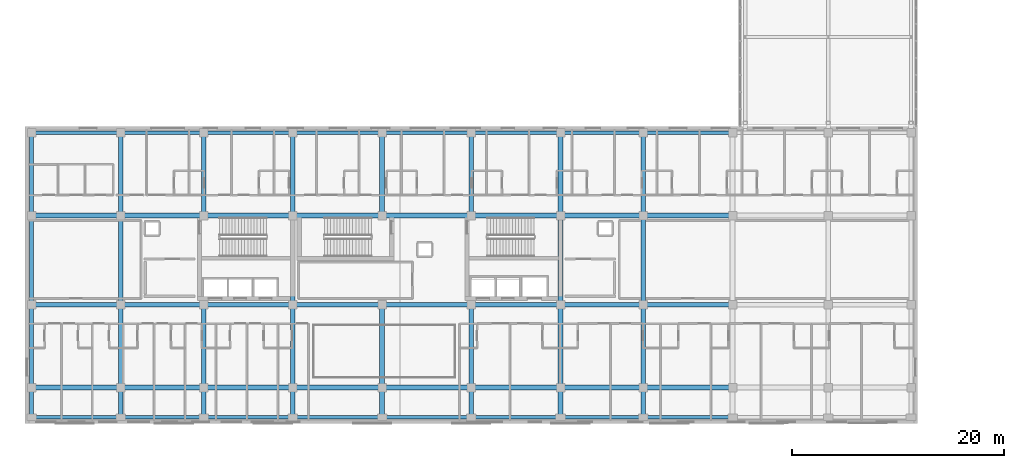
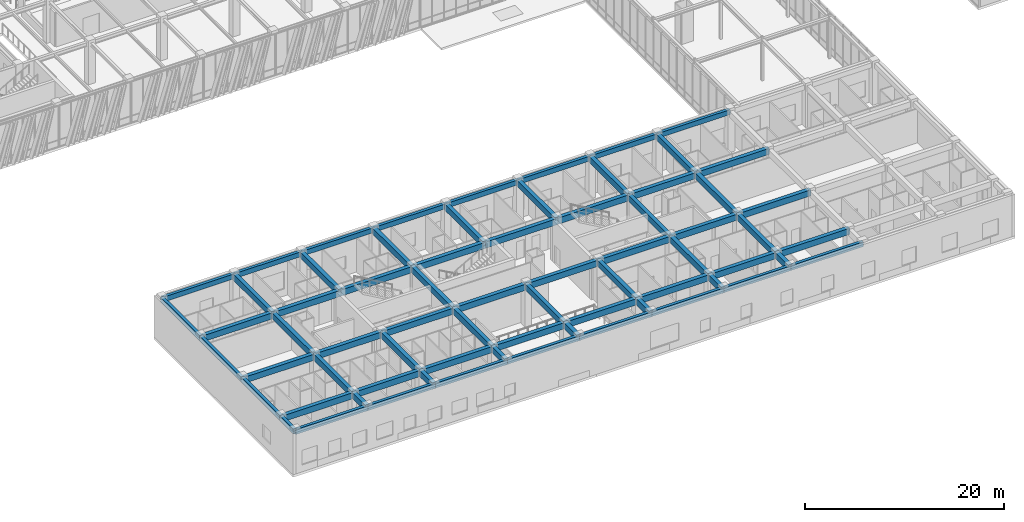
# One storey, part 12 of 139: 69 beams.
"""IFC4 building model written with IfcOpenShell, lengths in metres."""

from ifc_helpers import new_model, si_unit, direction, frame, origin, origin_2d, place, context, subcontext, project, spatial, rectangle, extrude, material, material_profile, profile_set, type_object, element, save


model = new_model("IFC4")

# Units and contexts
model_context = context("Model", 3, precision=1e-05, world=origin(), true_north=direction((0.0, 1.0)))
body_context = subcontext(model_context, "Body", "Model", "MODEL_VIEW")
ifc_project = project(units=[si_unit("LENGTHUNIT", "METRE"), si_unit("AREAUNIT", "SQUARE_METRE"), si_unit("VOLUMEUNIT", "CUBIC_METRE"), si_unit("PLANEANGLEUNIT", "RADIAN"), si_unit("MASSUNIT", "GRAM", prefix="KILO")], contexts=[model_context])

# Site, building, storey
site_placement = place(None, origin())
site = spatial("IfcSite", under=ifc_project, at=site_placement, CompositionType="ELEMENT")
building_placement = place(site_placement, origin())
building = spatial("IfcBuilding", under=site, at=building_placement, Name="Zayran Congress Hotel", CompositionType="ELEMENT")
storey_placement = place(building_placement, frame((0.0, 0.0, 5.39990234375)))
storey = spatial("IfcBuildingStorey", under=building, at=storey_placement, Name="L01", CompositionType="ELEMENT", Elevation=5.39990234375)

# Beams
ifc_material = material(Name="Concrete C40/50", Category="concrete")
ifc_material_profile_1 = material_profile(ifc_material, rectangle(XDim=0.449951171875, YDim=0.75, at=origin_2d()), Name="RC 450x750")
ifc_profile_set_1 = profile_set([ifc_material_profile_1], Name="Concrete C40/50")
beam_type_1 = type_object("IfcBeamType", Name="TP-BM-02", PredefinedType="BEAM", material=ifc_profile_set_1)
beam_1_placement = place(storey_placement, frame((9.0, 9.39990234375, 4.72509765625), z_axis=(1.0, 0.0, 0.0), x_axis=(0.0, 1.0, 0.0)))
element("IfcBeam", 1, at=beam_1_placement, inside=storey, type_object=beam_type_1, Name="BM-V5-L01-1686", PredefinedType="BEAM", context=body_context, shape_type="SweptSolid", body=[
    extrude(rectangle(XDim=0.449951171875, YDim=0.75, at=origin_2d()), origin(), (0.0, 0.0, 1.0), 8.39990234375),
])
beam_2_placement = place(storey_placement, frame((17.39990234375, 9.39990234375, 4.72509765625), z_axis=(1.0, 0.0, 0.0), x_axis=(0.0, 1.0, 0.0)))
element("IfcBeam", 2, at=beam_2_placement, inside=storey, type_object=beam_type_1, Name="BM-V5-L01-1687", PredefinedType="BEAM", context=body_context, shape_type="SweptSolid", body=[
    extrude(rectangle(XDim=0.449951171875, YDim=0.75, at=origin_2d()), origin(), (0.0, 0.0, 1.0), 7.800048828125),
])
beam_3_placement = place(storey_placement, frame((25.199951171875, 9.39990234375, 4.72509765625), z_axis=(1.0, 0.0, 0.0), x_axis=(0.0, 1.0, 0.0)))
element("IfcBeam", 3, at=beam_3_placement, inside=storey, type_object=beam_type_1, Name="BM-V5-L01-1688", PredefinedType="BEAM", context=body_context, shape_type="SweptSolid", body=[
    extrude(rectangle(XDim=0.449951171875, YDim=0.75, at=origin_2d()), origin(), (0.0, 0.0, 1.0), 8.400146484375),
])
for number, where, z_axis, x_axis, name in (
    (4, (33.60009765625, 9.39990234375, 4.72509765625), (1.0, 0.0, 0.0), (0.0, 1.0, 0.0), "BM-V5-L01-1689"),
    (5, (42.0, 9.39990234375, 4.72509765625), (1.0, 0.0, 0.0), (0.0, 1.0, 0.0), "BM-V5-L01-1690"),
):
    element("IfcBeam", number, at=place(storey_placement, frame(where, z_axis=z_axis, x_axis=x_axis)), inside=storey, type_object=beam_type_1, Name=name, PredefinedType="BEAM", context=body_context, shape_type="SweptSolid", body=[
        extrude(rectangle(XDim=0.449951171875, YDim=0.75, at=origin_2d()), origin(), (0.0, 0.0, 1.0), 8.39990234375),
    ])
beam_4_placement = place(storey_placement, frame((50.39990234375, 9.39990234375, 4.72509765625), z_axis=(1.0, 0.0, 0.0), x_axis=(0.0, 1.0, 0.0)))
element("IfcBeam", 6, at=beam_4_placement, inside=storey, type_object=beam_type_1, Name="BM-V5-L01-1691", PredefinedType="BEAM", context=body_context, shape_type="SweptSolid", body=[
    extrude(rectangle(XDim=0.449951171875, YDim=0.75, at=origin_2d()), origin(), (0.0, 0.0, 1.0), 8.400146484375),
])
beam_5_placement = place(storey_placement, frame((58.800048828125, 9.39990234375, 4.72509765625), z_axis=(1.0, 0.0, 0.0), x_axis=(0.0, 1.0, 0.0)))
element("IfcBeam", 7, at=beam_5_placement, inside=storey, type_object=beam_type_1, Name="BM-V5-L01-1692", PredefinedType="BEAM", context=body_context, shape_type="SweptSolid", body=[
    extrude(rectangle(XDim=0.449951171875, YDim=0.75, at=origin_2d()), origin(), (0.0, 0.0, 1.0), 7.800048828125),
])
for number, where, z_axis, x_axis, name in (
    (8, (66.60009765625, 9.39990234375, 4.72509765625), (1.0, 0.0, 0.0), (0.0, 1.0, 0.0), "BM-V5-L01-1693"),
    (9, (9.0, 17.199951171875, 4.72509765625), (1.0, 0.0, 0.0), (0.0, 1.0, 0.0), "BM-V5-L01-1696"),
):
    element("IfcBeam", number, at=place(storey_placement, frame(where, z_axis=z_axis, x_axis=x_axis)), inside=storey, type_object=beam_type_1, Name=name, PredefinedType="BEAM", context=body_context, shape_type="SweptSolid", body=[
        extrude(rectangle(XDim=0.449951171875, YDim=0.75, at=origin_2d()), origin(), (0.0, 0.0, 1.0), 8.39990234375),
    ])
beam_6_placement = place(storey_placement, frame((17.39990234375, 17.199951171875, 4.72509765625), z_axis=(1.0, 0.0, 0.0), x_axis=(0.0, 1.0, 0.0)))
element("IfcBeam", 10, at=beam_6_placement, inside=storey, type_object=beam_type_1, Name="BM-V5-L01-1697", PredefinedType="BEAM", context=body_context, shape_type="SweptSolid", body=[
    extrude(rectangle(XDim=0.449951171875, YDim=0.75, at=origin_2d()), origin(), (0.0, 0.0, 1.0), 7.800048828125),
])
beam_7_placement = place(storey_placement, frame((25.199951171875, 17.199951171875, 4.72509765625), z_axis=(1.0, 0.0, 0.0), x_axis=(0.0, 1.0, 0.0)))
element("IfcBeam", 11, at=beam_7_placement, inside=storey, type_object=beam_type_1, Name="BM-V5-L01-1698", PredefinedType="BEAM", context=body_context, shape_type="SweptSolid", body=[
    extrude(rectangle(XDim=0.449951171875, YDim=0.75, at=origin_2d()), origin(), (0.0, 0.0, 1.0), 8.400146484375),
])
for number, where, z_axis, x_axis, name in (
    (12, (33.60009765625, 17.199951171875, 4.72509765625), (1.0, 0.0, 0.0), (0.0, 1.0, 0.0), "BM-V5-L01-1699"),
    (13, (42.0, 17.199951171875, 4.72509765625), (1.0, 0.0, 0.0), (0.0, 1.0, 0.0), "BM-V5-L01-1700"),
):
    element("IfcBeam", number, at=place(storey_placement, frame(where, z_axis=z_axis, x_axis=x_axis)), inside=storey, type_object=beam_type_1, Name=name, PredefinedType="BEAM", context=body_context, shape_type="SweptSolid", body=[
        extrude(rectangle(XDim=0.449951171875, YDim=0.75, at=origin_2d()), origin(), (0.0, 0.0, 1.0), 8.39990234375),
    ])
beam_8_placement = place(storey_placement, frame((50.39990234375, 17.199951171875, 4.72509765625), z_axis=(1.0, 0.0, 0.0), x_axis=(0.0, 1.0, 0.0)))
element("IfcBeam", 14, at=beam_8_placement, inside=storey, type_object=beam_type_1, Name="BM-V5-L01-1701", PredefinedType="BEAM", context=body_context, shape_type="SweptSolid", body=[
    extrude(rectangle(XDim=0.449951171875, YDim=0.75, at=origin_2d()), origin(), (0.0, 0.0, 1.0), 8.400146484375),
])
beam_9_placement = place(storey_placement, frame((58.800048828125, 17.199951171875, 4.72509765625), z_axis=(1.0, 0.0, 0.0), x_axis=(0.0, 1.0, 0.0)))
element("IfcBeam", 15, at=beam_9_placement, inside=storey, type_object=beam_type_1, Name="BM-V5-L01-1702", PredefinedType="BEAM", context=body_context, shape_type="SweptSolid", body=[
    extrude(rectangle(XDim=0.449951171875, YDim=0.75, at=origin_2d()), origin(), (0.0, 0.0, 1.0), 7.800048828125),
])
for number, where, z_axis, x_axis, name in (
    (16, (66.60009765625, 17.199951171875, 4.72509765625), (1.0, 0.0, 0.0), (0.0, 1.0, 0.0), "BM-V5-L01-1703"),
    (17, (9.0, 25.60009765625, 4.72509765625), (1.0, 0.0, 0.0), (0.0, 1.0, 0.0), "BM-V5-L01-1706"),
):
    element("IfcBeam", number, at=place(storey_placement, frame(where, z_axis=z_axis, x_axis=x_axis)), inside=storey, type_object=beam_type_1, Name=name, PredefinedType="BEAM", context=body_context, shape_type="SweptSolid", body=[
        extrude(rectangle(XDim=0.449951171875, YDim=0.75, at=origin_2d()), origin(), (0.0, 0.0, 1.0), 8.39990234375),
    ])
beam_10_placement = place(storey_placement, frame((17.39990234375, 25.60009765625, 4.72509765625), z_axis=(1.0, 0.0, 0.0), x_axis=(0.0, 1.0, 0.0)))
element("IfcBeam", 18, at=beam_10_placement, inside=storey, type_object=beam_type_1, Name="BM-V5-L01-1707", PredefinedType="BEAM", context=body_context, shape_type="SweptSolid", body=[
    extrude(rectangle(XDim=0.449951171875, YDim=0.75, at=origin_2d()), origin(), (0.0, 0.0, 1.0), 7.800048828125),
])
beam_11_placement = place(storey_placement, frame((25.199951171875, 25.60009765625, 4.72509765625), z_axis=(1.0, 0.0, 0.0), x_axis=(0.0, 1.0, 0.0)))
element("IfcBeam", 19, at=beam_11_placement, inside=storey, type_object=beam_type_1, Name="BM-V5-L01-1708", PredefinedType="BEAM", context=body_context, shape_type="SweptSolid", body=[
    extrude(rectangle(XDim=0.449951171875, YDim=0.75, at=origin_2d()), origin(), (0.0, 0.0, 1.0), 8.400146484375),
])
for number, where, z_axis, x_axis, name in (
    (20, (33.60009765625, 25.60009765625, 4.72509765625), (1.0, 0.0, 0.0), (0.0, 1.0, 0.0), "BM-V5-L01-1709"),
    (21, (42.0, 25.60009765625, 4.72509765625), (1.0, 0.0, 0.0), (0.0, 1.0, 0.0), "BM-V5-L01-1710"),
):
    element("IfcBeam", number, at=place(storey_placement, frame(where, z_axis=z_axis, x_axis=x_axis)), inside=storey, type_object=beam_type_1, Name=name, PredefinedType="BEAM", context=body_context, shape_type="SweptSolid", body=[
        extrude(rectangle(XDim=0.449951171875, YDim=0.75, at=origin_2d()), origin(), (0.0, 0.0, 1.0), 8.39990234375),
    ])
beam_12_placement = place(storey_placement, frame((50.39990234375, 25.60009765625, 4.72509765625), z_axis=(1.0, 0.0, 0.0), x_axis=(0.0, 1.0, 0.0)))
element("IfcBeam", 22, at=beam_12_placement, inside=storey, type_object=beam_type_1, Name="BM-V5-L01-1711", PredefinedType="BEAM", context=body_context, shape_type="SweptSolid", body=[
    extrude(rectangle(XDim=0.449951171875, YDim=0.75, at=origin_2d()), origin(), (0.0, 0.0, 1.0), 8.400146484375),
])
beam_13_placement = place(storey_placement, frame((58.800048828125, 25.60009765625, 4.72509765625), z_axis=(1.0, 0.0, 0.0), x_axis=(0.0, 1.0, 0.0)))
element("IfcBeam", 23, at=beam_13_placement, inside=storey, type_object=beam_type_1, Name="BM-V5-L01-1712", PredefinedType="BEAM", context=body_context, shape_type="SweptSolid", body=[
    extrude(rectangle(XDim=0.449951171875, YDim=0.75, at=origin_2d()), origin(), (0.0, 0.0, 1.0), 7.800048828125),
])
beam_14_placement = place(storey_placement, frame((66.60009765625, 25.60009765625, 4.72509765625), z_axis=(1.0, 0.0, 0.0), x_axis=(0.0, 1.0, 0.0)))
element("IfcBeam", 24, at=beam_14_placement, inside=storey, type_object=beam_type_1, Name="BM-V5-L01-1713", PredefinedType="BEAM", context=body_context, shape_type="SweptSolid", body=[
    extrude(rectangle(XDim=0.449951171875, YDim=0.75, at=origin_2d()), origin(), (0.0, 0.0, 1.0), 8.39990234375),
])
beam_15_placement = place(storey_placement, frame((17.39990234375, 6.60009765625, 4.72509765625), z_axis=(0.0, 1.0, 0.0), x_axis=(-1.0, 0.0, 0.0)))
element("IfcBeam", 25, at=beam_15_placement, inside=storey, type_object=beam_type_1, Name="BM-V5-L01-1730", PredefinedType="BEAM", context=body_context, shape_type="SweptSolid", body=[
    extrude(rectangle(XDim=0.449951171875, YDim=0.75, at=origin_2d()), origin(), (0.0, 0.0, 1.0), 2.7998046875),
])
beam_16_placement = place(storey_placement, frame((17.39990234375, 9.39990234375, 4.72509765625), z_axis=(0.0, 1.0, 0.0), x_axis=(-1.0, 0.0, 0.0)))
element("IfcBeam", 26, at=beam_16_placement, inside=storey, type_object=beam_type_1, Name="BM-V5-L01-1731", PredefinedType="BEAM", context=body_context, shape_type="SweptSolid", body=[
    extrude(rectangle(XDim=0.449951171875, YDim=0.75, at=origin_2d()), origin(), (0.0, 0.0, 1.0), 7.800048828125),
])
beam_17_placement = place(storey_placement, frame((17.39990234375, 17.199951171875, 4.72509765625), z_axis=(0.0, 1.0, 0.0), x_axis=(-1.0, 0.0, 0.0)))
element("IfcBeam", 27, at=beam_17_placement, inside=storey, type_object=beam_type_1, Name="BM-V5-L01-1732", PredefinedType="BEAM", context=body_context, shape_type="SweptSolid", body=[
    extrude(rectangle(XDim=0.449951171875, YDim=0.75, at=origin_2d()), origin(), (0.0, 0.0, 1.0), 8.400146484375),
])
beam_18_placement = place(storey_placement, frame((17.39990234375, 25.60009765625, 4.72509765625), z_axis=(0.0, 1.0, 0.0), x_axis=(-1.0, 0.0, 0.0)))
element("IfcBeam", 28, at=beam_18_placement, inside=storey, type_object=beam_type_1, Name="BM-V5-L01-1733", PredefinedType="BEAM", context=body_context, shape_type="SweptSolid", body=[
    extrude(rectangle(XDim=0.449951171875, YDim=0.75, at=origin_2d()), origin(), (0.0, 0.0, 1.0), 7.7998046875),
])
beam_19_placement = place(storey_placement, frame((25.199951171875, 6.60009765625, 4.72509765625), z_axis=(0.0, 1.0, 0.0), x_axis=(-1.0, 0.0, 0.0)))
element("IfcBeam", 29, at=beam_19_placement, inside=storey, type_object=beam_type_1, Name="BM-V5-L01-1734", PredefinedType="BEAM", context=body_context, shape_type="SweptSolid", body=[
    extrude(rectangle(XDim=0.449951171875, YDim=0.75, at=origin_2d()), origin(), (0.0, 0.0, 1.0), 2.7998046875),
])
beam_20_placement = place(storey_placement, frame((25.199951171875, 9.39990234375, 4.72509765625), z_axis=(0.0, 1.0, 0.0), x_axis=(-1.0, 0.0, 0.0)))
element("IfcBeam", 30, at=beam_20_placement, inside=storey, type_object=beam_type_1, Name="BM-V5-L01-1735", PredefinedType="BEAM", context=body_context, shape_type="SweptSolid", body=[
    extrude(rectangle(XDim=0.449951171875, YDim=0.75, at=origin_2d()), origin(), (0.0, 0.0, 1.0), 7.800048828125),
])
beam_21_placement = place(storey_placement, frame((25.199951171875, 25.60009765625, 4.72509765625), z_axis=(0.0, 1.0, 0.0), x_axis=(-1.0, 0.0, 0.0)))
element("IfcBeam", 31, at=beam_21_placement, inside=storey, type_object=beam_type_1, Name="BM-V5-L01-1736", PredefinedType="BEAM", context=body_context, shape_type="SweptSolid", body=[
    extrude(rectangle(XDim=0.449951171875, YDim=0.75, at=origin_2d()), origin(), (0.0, 0.0, 1.0), 7.7998046875),
])
beam_22_placement = place(storey_placement, frame((33.60009765625, 6.60009765625, 4.72509765625), z_axis=(0.0, 1.0, 0.0), x_axis=(-1.0, 0.0, 0.0)))
element("IfcBeam", 32, at=beam_22_placement, inside=storey, type_object=beam_type_1, Name="BM-V5-L01-1737", PredefinedType="BEAM", context=body_context, shape_type="SweptSolid", body=[
    extrude(rectangle(XDim=0.449951171875, YDim=0.75, at=origin_2d()), origin(), (0.0, 0.0, 1.0), 2.7998046875),
])
beam_23_placement = place(storey_placement, frame((33.60009765625, 9.39990234375, 4.72509765625), z_axis=(0.0, 1.0, 0.0), x_axis=(-1.0, 0.0, 0.0)))
element("IfcBeam", 33, at=beam_23_placement, inside=storey, type_object=beam_type_1, Name="BM-V5-L01-1738", PredefinedType="BEAM", context=body_context, shape_type="SweptSolid", body=[
    extrude(rectangle(XDim=0.449951171875, YDim=0.75, at=origin_2d()), origin(), (0.0, 0.0, 1.0), 7.800048828125),
])
beam_24_placement = place(storey_placement, frame((33.60009765625, 17.199951171875, 4.72509765625), z_axis=(0.0, 1.0, 0.0), x_axis=(-1.0, 0.0, 0.0)))
element("IfcBeam", 34, at=beam_24_placement, inside=storey, type_object=beam_type_1, Name="BM-V5-L01-1739", PredefinedType="BEAM", context=body_context, shape_type="SweptSolid", body=[
    extrude(rectangle(XDim=0.449951171875, YDim=0.75, at=origin_2d()), origin(), (0.0, 0.0, 1.0), 8.400146484375),
])
beam_25_placement = place(storey_placement, frame((33.60009765625, 25.60009765625, 4.72509765625), z_axis=(0.0, 1.0, 0.0), x_axis=(-1.0, 0.0, 0.0)))
element("IfcBeam", 35, at=beam_25_placement, inside=storey, type_object=beam_type_1, Name="BM-V5-L01-1740", PredefinedType="BEAM", context=body_context, shape_type="SweptSolid", body=[
    extrude(rectangle(XDim=0.449951171875, YDim=0.75, at=origin_2d()), origin(), (0.0, 0.0, 1.0), 7.7998046875),
])
beam_26_placement = place(storey_placement, frame((42.0, 6.60009765625, 4.72509765625), z_axis=(0.0, 1.0, 0.0), x_axis=(-1.0, 0.0, 0.0)))
element("IfcBeam", 36, at=beam_26_placement, inside=storey, type_object=beam_type_1, Name="BM-V5-L01-1741", PredefinedType="BEAM", context=body_context, shape_type="SweptSolid", body=[
    extrude(rectangle(XDim=0.449951171875, YDim=0.75, at=origin_2d()), origin(), (0.0, 0.0, 1.0), 2.7998046875),
])
beam_27_placement = place(storey_placement, frame((42.0, 9.39990234375, 4.72509765625), z_axis=(0.0, 1.0, 0.0), x_axis=(-1.0, 0.0, 0.0)))
element("IfcBeam", 37, at=beam_27_placement, inside=storey, type_object=beam_type_1, Name="BM-V5-L01-1742", PredefinedType="BEAM", context=body_context, shape_type="SweptSolid", body=[
    extrude(rectangle(XDim=0.449951171875, YDim=0.75, at=origin_2d()), origin(), (0.0, 0.0, 1.0), 7.800048828125),
])
beam_28_placement = place(storey_placement, frame((42.0, 25.60009765625, 4.72509765625), z_axis=(0.0, 1.0, 0.0), x_axis=(-1.0, 0.0, 0.0)))
element("IfcBeam", 38, at=beam_28_placement, inside=storey, type_object=beam_type_1, Name="BM-V5-L01-1744", PredefinedType="BEAM", context=body_context, shape_type="SweptSolid", body=[
    extrude(rectangle(XDim=0.449951171875, YDim=0.75, at=origin_2d()), origin(), (0.0, 0.0, 1.0), 7.7998046875),
])
beam_29_placement = place(storey_placement, frame((50.39990234375, 6.60009765625, 4.72509765625), z_axis=(0.0, 1.0, 0.0), x_axis=(-1.0, 0.0, 0.0)))
element("IfcBeam", 39, at=beam_29_placement, inside=storey, type_object=beam_type_1, Name="BM-V5-L01-1745", PredefinedType="BEAM", context=body_context, shape_type="SweptSolid", body=[
    extrude(rectangle(XDim=0.449951171875, YDim=0.75, at=origin_2d()), origin(), (0.0, 0.0, 1.0), 2.7998046875),
])
beam_30_placement = place(storey_placement, frame((50.39990234375, 9.39990234375, 4.72509765625), z_axis=(0.0, 1.0, 0.0), x_axis=(-1.0, 0.0, 0.0)))
element("IfcBeam", 40, at=beam_30_placement, inside=storey, type_object=beam_type_1, Name="BM-V5-L01-1746", PredefinedType="BEAM", context=body_context, shape_type="SweptSolid", body=[
    extrude(rectangle(XDim=0.449951171875, YDim=0.75, at=origin_2d()), origin(), (0.0, 0.0, 1.0), 7.800048828125),
])
beam_31_placement = place(storey_placement, frame((50.39990234375, 25.60009765625, 4.72509765625), z_axis=(0.0, 1.0, 0.0), x_axis=(-1.0, 0.0, 0.0)))
element("IfcBeam", 41, at=beam_31_placement, inside=storey, type_object=beam_type_1, Name="BM-V5-L01-1747", PredefinedType="BEAM", context=body_context, shape_type="SweptSolid", body=[
    extrude(rectangle(XDim=0.449951171875, YDim=0.75, at=origin_2d()), origin(), (0.0, 0.0, 1.0), 7.7998046875),
])
beam_32_placement = place(storey_placement, frame((58.800048828125, 6.60009765625, 4.72509765625), z_axis=(0.0, 1.0, 0.0), x_axis=(-1.0, 0.0, 0.0)))
element("IfcBeam", 42, at=beam_32_placement, inside=storey, type_object=beam_type_1, Name="BM-V5-L01-1748", PredefinedType="BEAM", context=body_context, shape_type="SweptSolid", body=[
    extrude(rectangle(XDim=0.449951171875, YDim=0.75, at=origin_2d()), origin(), (0.0, 0.0, 1.0), 2.7998046875),
])
beam_33_placement = place(storey_placement, frame((58.800048828125, 9.39990234375, 4.72509765625), z_axis=(0.0, 1.0, 0.0), x_axis=(-1.0, 0.0, 0.0)))
element("IfcBeam", 43, at=beam_33_placement, inside=storey, type_object=beam_type_1, Name="BM-V5-L01-1749", PredefinedType="BEAM", context=body_context, shape_type="SweptSolid", body=[
    extrude(rectangle(XDim=0.449951171875, YDim=0.75, at=origin_2d()), origin(), (0.0, 0.0, 1.0), 7.800048828125),
])
beam_34_placement = place(storey_placement, frame((58.800048828125, 17.199951171875, 4.72509765625), z_axis=(0.0, 1.0, 0.0), x_axis=(-1.0, 0.0, 0.0)))
element("IfcBeam", 44, at=beam_34_placement, inside=storey, type_object=beam_type_1, Name="BM-V5-L01-1750", PredefinedType="BEAM", context=body_context, shape_type="SweptSolid", body=[
    extrude(rectangle(XDim=0.449951171875, YDim=0.75, at=origin_2d()), origin(), (0.0, 0.0, 1.0), 8.400146484375),
])
beam_35_placement = place(storey_placement, frame((58.800048828125, 25.60009765625, 4.72509765625), z_axis=(0.0, 1.0, 0.0), x_axis=(-1.0, 0.0, 0.0)))
element("IfcBeam", 45, at=beam_35_placement, inside=storey, type_object=beam_type_1, Name="BM-V5-L01-1751", PredefinedType="BEAM", context=body_context, shape_type="SweptSolid", body=[
    extrude(rectangle(XDim=0.449951171875, YDim=0.75, at=origin_2d()), origin(), (0.0, 0.0, 1.0), 7.7998046875),
])
beam_36_placement = place(storey_placement, frame((66.60009765625, 6.60009765625, 4.72509765625), z_axis=(0.0, 1.0, 0.0), x_axis=(-1.0, 0.0, 0.0)))
element("IfcBeam", 46, at=beam_36_placement, inside=storey, type_object=beam_type_1, Name="BM-V5-L01-1752", PredefinedType="BEAM", context=body_context, shape_type="SweptSolid", body=[
    extrude(rectangle(XDim=0.449951171875, YDim=0.75, at=origin_2d()), origin(), (0.0, 0.0, 1.0), 2.7998046875),
])
beam_37_placement = place(storey_placement, frame((66.60009765625, 9.39990234375, 4.72509765625), z_axis=(0.0, 1.0, 0.0), x_axis=(-1.0, 0.0, 0.0)))
element("IfcBeam", 47, at=beam_37_placement, inside=storey, type_object=beam_type_1, Name="BM-V5-L01-1753", PredefinedType="BEAM", context=body_context, shape_type="SweptSolid", body=[
    extrude(rectangle(XDim=0.449951171875, YDim=0.75, at=origin_2d()), origin(), (0.0, 0.0, 1.0), 7.800048828125),
])
beam_38_placement = place(storey_placement, frame((66.60009765625, 17.199951171875, 4.72509765625), z_axis=(0.0, 1.0, 0.0), x_axis=(-1.0, 0.0, 0.0)))
element("IfcBeam", 48, at=beam_38_placement, inside=storey, type_object=beam_type_1, Name="BM-V5-L01-1754", PredefinedType="BEAM", context=body_context, shape_type="SweptSolid", body=[
    extrude(rectangle(XDim=0.449951171875, YDim=0.75, at=origin_2d()), origin(), (0.0, 0.0, 1.0), 8.400146484375),
])
beam_39_placement = place(storey_placement, frame((66.60009765625, 25.60009765625, 4.72509765625), z_axis=(0.0, 1.0, 0.0), x_axis=(-1.0, 0.0, 0.0)))
element("IfcBeam", 49, at=beam_39_placement, inside=storey, type_object=beam_type_1, Name="BM-V5-L01-1755", PredefinedType="BEAM", context=body_context, shape_type="SweptSolid", body=[
    extrude(rectangle(XDim=0.449951171875, YDim=0.75, at=origin_2d()), origin(), (0.0, 0.0, 1.0), 7.7998046875),
])
ifc_material_profile_2 = material_profile(ifc_material, rectangle(XDim=0.35009765625, YDim=0.60009765625, at=origin_2d()), Name="RC 350x600")
ifc_profile_set_2 = profile_set([ifc_material_profile_2], Name="Concrete C40/50")
beam_type_2 = type_object("IfcBeamType", Name="TP-SP-01", PredefinedType="SPANDREL", material=ifc_profile_set_2)
beam_40_placement = place(storey_placement, frame((9.0, 6.60009765625, 4.800048828125), z_axis=(1.0, 0.0, 0.0), x_axis=(0.0, 1.0, 0.0)))
element("IfcBeam", 50, at=beam_40_placement, inside=storey, type_object=beam_type_2, Name="BM-V5-L01-1676", PredefinedType="SPANDREL", context=body_context, shape_type="SweptSolid", body=[
    extrude(rectangle(XDim=0.35009765625, YDim=0.60009765625, at=origin_2d()), origin(), (0.0, 0.0, 1.0), 8.39990234375),
])
beam_41_placement = place(storey_placement, frame((17.39990234375, 6.60009765625, 4.800048828125), z_axis=(1.0, 0.0, 0.0), x_axis=(0.0, 1.0, 0.0)))
element("IfcBeam", 51, at=beam_41_placement, inside=storey, type_object=beam_type_2, Name="BM-V5-L01-1677", PredefinedType="SPANDREL", context=body_context, shape_type="SweptSolid", body=[
    extrude(rectangle(XDim=0.35009765625, YDim=0.60009765625, at=origin_2d()), origin(), (0.0, 0.0, 1.0), 7.800048828125),
])
beam_42_placement = place(storey_placement, frame((25.199951171875, 6.60009765625, 4.800048828125), z_axis=(1.0, 0.0, 0.0), x_axis=(0.0, 1.0, 0.0)))
element("IfcBeam", 52, at=beam_42_placement, inside=storey, type_object=beam_type_2, Name="BM-V5-L01-1678", PredefinedType="SPANDREL", context=body_context, shape_type="SweptSolid", body=[
    extrude(rectangle(XDim=0.35009765625, YDim=0.60009765625, at=origin_2d()), origin(), (0.0, 0.0, 1.0), 8.400146484375),
])
for number, where, z_axis, x_axis, name in (
    (53, (33.60009765625, 6.60009765625, 4.800048828125), (1.0, 0.0, 0.0), (0.0, 1.0, 0.0), "BM-V5-L01-1679"),
    (54, (42.0, 6.60009765625, 4.800048828125), (1.0, 0.0, 0.0), (0.0, 1.0, 0.0), "BM-V5-L01-1680"),
):
    element("IfcBeam", number, at=place(storey_placement, frame(where, z_axis=z_axis, x_axis=x_axis)), inside=storey, type_object=beam_type_2, Name=name, PredefinedType="SPANDREL", context=body_context, shape_type="SweptSolid", body=[
        extrude(rectangle(XDim=0.35009765625, YDim=0.60009765625, at=origin_2d()), origin(), (0.0, 0.0, 1.0), 8.39990234375),
    ])
beam_43_placement = place(storey_placement, frame((50.39990234375, 6.60009765625, 4.800048828125), z_axis=(1.0, 0.0, 0.0), x_axis=(0.0, 1.0, 0.0)))
element("IfcBeam", 55, at=beam_43_placement, inside=storey, type_object=beam_type_2, Name="BM-V5-L01-1681", PredefinedType="SPANDREL", context=body_context, shape_type="SweptSolid", body=[
    extrude(rectangle(XDim=0.35009765625, YDim=0.60009765625, at=origin_2d()), origin(), (0.0, 0.0, 1.0), 8.400146484375),
])
beam_44_placement = place(storey_placement, frame((58.800048828125, 6.60009765625, 4.800048828125), z_axis=(1.0, 0.0, 0.0), x_axis=(0.0, 1.0, 0.0)))
element("IfcBeam", 56, at=beam_44_placement, inside=storey, type_object=beam_type_2, Name="BM-V5-L01-1682", PredefinedType="SPANDREL", context=body_context, shape_type="SweptSolid", body=[
    extrude(rectangle(XDim=0.35009765625, YDim=0.60009765625, at=origin_2d()), origin(), (0.0, 0.0, 1.0), 7.800048828125),
])
for number, where, z_axis, x_axis, name in (
    (57, (66.60009765625, 6.60009765625, 4.800048828125), (1.0, 0.0, 0.0), (0.0, 1.0, 0.0), "BM-V5-L01-1683"),
    (58, (9.0, 33.39990234375, 4.800048828125), (1.0, 0.0, 0.0), (0.0, 1.0, 0.0), "BM-V5-L01-1716"),
):
    element("IfcBeam", number, at=place(storey_placement, frame(where, z_axis=z_axis, x_axis=x_axis)), inside=storey, type_object=beam_type_2, Name=name, PredefinedType="SPANDREL", context=body_context, shape_type="SweptSolid", body=[
        extrude(rectangle(XDim=0.35009765625, YDim=0.60009765625, at=origin_2d()), origin(), (0.0, 0.0, 1.0), 8.39990234375),
    ])
beam_45_placement = place(storey_placement, frame((17.39990234375, 33.39990234375, 4.800048828125), z_axis=(1.0, 0.0, 0.0), x_axis=(0.0, 1.0, 0.0)))
element("IfcBeam", 59, at=beam_45_placement, inside=storey, type_object=beam_type_2, Name="BM-V5-L01-1717", PredefinedType="SPANDREL", context=body_context, shape_type="SweptSolid", body=[
    extrude(rectangle(XDim=0.35009765625, YDim=0.60009765625, at=origin_2d()), origin(), (0.0, 0.0, 1.0), 7.800048828125),
])
beam_46_placement = place(storey_placement, frame((25.199951171875, 33.39990234375, 4.800048828125), z_axis=(1.0, 0.0, 0.0), x_axis=(0.0, 1.0, 0.0)))
element("IfcBeam", 60, at=beam_46_placement, inside=storey, type_object=beam_type_2, Name="BM-V5-L01-1718", PredefinedType="SPANDREL", context=body_context, shape_type="SweptSolid", body=[
    extrude(rectangle(XDim=0.35009765625, YDim=0.60009765625, at=origin_2d()), origin(), (0.0, 0.0, 1.0), 8.400146484375),
])
for number, where, z_axis, x_axis, name in (
    (61, (33.60009765625, 33.39990234375, 4.800048828125), (1.0, 0.0, 0.0), (0.0, 1.0, 0.0), "BM-V5-L01-1719"),
    (62, (42.0, 33.39990234375, 4.800048828125), (1.0, 0.0, 0.0), (0.0, 1.0, 0.0), "BM-V5-L01-1720"),
):
    element("IfcBeam", number, at=place(storey_placement, frame(where, z_axis=z_axis, x_axis=x_axis)), inside=storey, type_object=beam_type_2, Name=name, PredefinedType="SPANDREL", context=body_context, shape_type="SweptSolid", body=[
        extrude(rectangle(XDim=0.35009765625, YDim=0.60009765625, at=origin_2d()), origin(), (0.0, 0.0, 1.0), 8.39990234375),
    ])
beam_47_placement = place(storey_placement, frame((50.39990234375, 33.39990234375, 4.800048828125), z_axis=(1.0, 0.0, 0.0), x_axis=(0.0, 1.0, 0.0)))
element("IfcBeam", 63, at=beam_47_placement, inside=storey, type_object=beam_type_2, Name="BM-V5-L01-1721", PredefinedType="SPANDREL", context=body_context, shape_type="SweptSolid", body=[
    extrude(rectangle(XDim=0.35009765625, YDim=0.60009765625, at=origin_2d()), origin(), (0.0, 0.0, 1.0), 8.400146484375),
])
beam_48_placement = place(storey_placement, frame((58.800048828125, 33.39990234375, 4.800048828125), z_axis=(1.0, 0.0, 0.0), x_axis=(0.0, 1.0, 0.0)))
element("IfcBeam", 64, at=beam_48_placement, inside=storey, type_object=beam_type_2, Name="BM-V5-L01-1722", PredefinedType="SPANDREL", context=body_context, shape_type="SweptSolid", body=[
    extrude(rectangle(XDim=0.35009765625, YDim=0.60009765625, at=origin_2d()), origin(), (0.0, 0.0, 1.0), 7.800048828125),
])
beam_49_placement = place(storey_placement, frame((66.60009765625, 33.39990234375, 4.800048828125), z_axis=(1.0, 0.0, 0.0), x_axis=(0.0, 1.0, 0.0)))
element("IfcBeam", 65, at=beam_49_placement, inside=storey, type_object=beam_type_2, Name="BM-V5-L01-1723", PredefinedType="SPANDREL", context=body_context, shape_type="SweptSolid", body=[
    extrude(rectangle(XDim=0.35009765625, YDim=0.60009765625, at=origin_2d()), origin(), (0.0, 0.0, 1.0), 8.39990234375),
])
beam_50_placement = place(storey_placement, frame((9.0, 6.60009765625, 4.800048828125), z_axis=(0.0, 1.0, 0.0), x_axis=(-1.0, 0.0, 0.0)))
element("IfcBeam", 66, at=beam_50_placement, inside=storey, type_object=beam_type_2, Name="BM-V5-L01-1726", PredefinedType="SPANDREL", context=body_context, shape_type="SweptSolid", body=[
    extrude(rectangle(XDim=0.35009765625, YDim=0.60009765625, at=origin_2d()), origin(), (0.0, 0.0, 1.0), 2.7998046875),
])
beam_51_placement = place(storey_placement, frame((9.0, 9.39990234375, 4.800048828125), z_axis=(0.0, 1.0, 0.0), x_axis=(-1.0, 0.0, 0.0)))
element("IfcBeam", 67, at=beam_51_placement, inside=storey, type_object=beam_type_2, Name="BM-V5-L01-1727", PredefinedType="SPANDREL", context=body_context, shape_type="SweptSolid", body=[
    extrude(rectangle(XDim=0.35009765625, YDim=0.60009765625, at=origin_2d()), origin(), (0.0, 0.0, 1.0), 7.800048828125),
])
beam_52_placement = place(storey_placement, frame((9.0, 17.199951171875, 4.800048828125), z_axis=(0.0, 1.0, 0.0), x_axis=(-1.0, 0.0, 0.0)))
element("IfcBeam", 68, at=beam_52_placement, inside=storey, type_object=beam_type_2, Name="BM-V5-L01-1728", PredefinedType="SPANDREL", context=body_context, shape_type="SweptSolid", body=[
    extrude(rectangle(XDim=0.35009765625, YDim=0.60009765625, at=origin_2d()), origin(), (0.0, 0.0, 1.0), 8.400146484375),
])
beam_53_placement = place(storey_placement, frame((9.0, 25.60009765625, 4.800048828125), z_axis=(0.0, 1.0, 0.0), x_axis=(-1.0, 0.0, 0.0)))
element("IfcBeam", 69, at=beam_53_placement, inside=storey, type_object=beam_type_2, Name="BM-V5-L01-1729", PredefinedType="SPANDREL", context=body_context, shape_type="SweptSolid", body=[
    extrude(rectangle(XDim=0.35009765625, YDim=0.60009765625, at=origin_2d()), origin(), (0.0, 0.0, 1.0), 7.7998046875),
])

save(model, "model.ifc")
